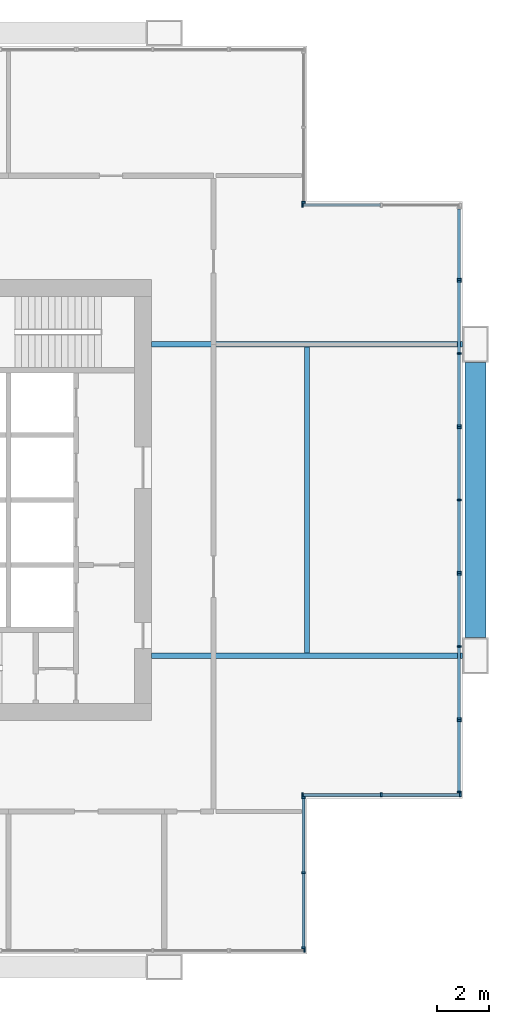
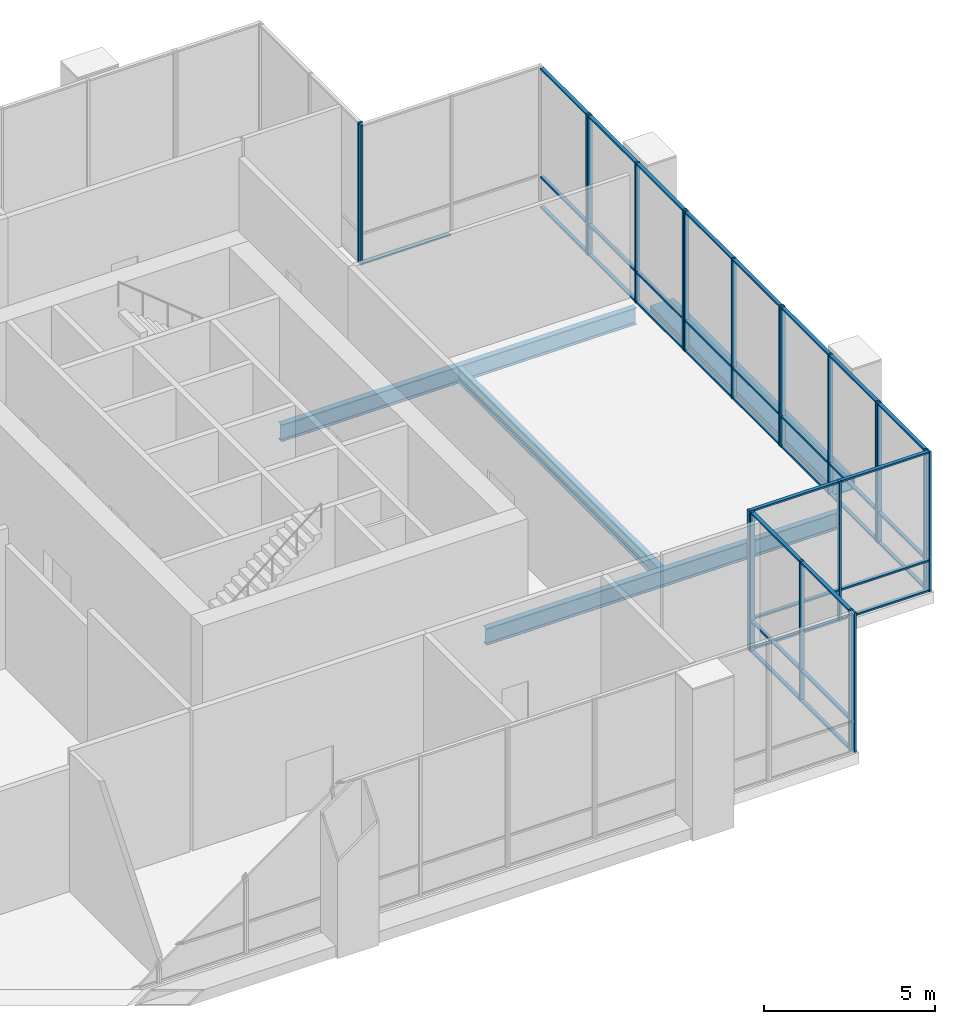
# One storey, part 10 of 20: 58 members, 4 beams, 10 elements without a shape of their own.
"""IFC4 building model written with IfcOpenShell, lengths in metres."""

import ifcopenshell
import ifcopenshell.guid

model = None  # the IFC model being written
_history = None  # IfcOwnerHistory: only IFC2X3 demands one
_inside = {}  # id of a spatial element -> (the spatial element, [elements in it])
_under = {}  # id of a project, library or spatial element -> (it, [spatial elements below it])
_declared = {}  # id of a project -> (the project, [libraries it declares])
_typed = {}  # id of a type object -> (the type object, [elements of that type])
_made_of = {}  # id of a material, layer set ... -> (it, [elements and type objects made of it])


def new_model(schema):
    """Start an empty IFC model of exactly this schema.

    Asked for "IFC4X3", IfcOpenShell would pick the latest addendum, in which some entities
    have other attributes; the version numbers below select the first issue.
    IFC2X3 requires an IfcOwnerHistory on every rooted entity: one is made here for all.
    """
    global model, _history
    if schema == "IFC4X3":
        model = ifcopenshell.file(schema_version=(4, 3, 0, 0))
    else:
        model = ifcopenshell.file(schema=schema)
    _inside.clear()
    _under.clear()
    _declared.clear()
    _typed.clear()
    _made_of.clear()
    _history = None
    if model.schema == "IFC2X3":
        org = make("IfcOrganization", Name="unknown")
        user = make(
            "IfcPersonAndOrganization",
            ThePerson=make("IfcPerson", FamilyName="unknown"),
            TheOrganization=org,
        )
        app = make(
            "IfcApplication",
            ApplicationDeveloper=org,
            Version="unknown",
            ApplicationFullName="unknown",
            ApplicationIdentifier="unknown",
        )
        _history = make(
            "IfcOwnerHistory",
            OwningUser=user,
            OwningApplication=app,
            ChangeAction="ADDED",
            CreationDate=0,
        )
    return model


def make(cls, **values):
    """One entity of the class cls with the attributes given. An attribute that is None is left unset."""
    return model.create_entity(
        cls, **{name: value for name, value in values.items() if value is not None}
    )


def rooted(cls, **values):
    """An entity with a GlobalId (a new one), such as an element, a storey or a relation."""
    return make(cls, GlobalId=ifcopenshell.guid.new(), OwnerHistory=_history, **values)


def si_unit(unit_type, name, prefix=None):
    """IfcSIUnit, for example si_unit("LENGTHUNIT", "METRE", prefix="MILLI")."""
    return make("IfcSIUnit", UnitType=unit_type, Prefix=prefix, Name=name)


def assignment(units):
    """IfcUnitAssignment: the units of a project."""
    return None if units is None else make("IfcUnitAssignment", Units=units)


def point(xyz):
    """IfcCartesianPoint."""
    return None if xyz is None else make("IfcCartesianPoint", Coordinates=xyz)


def direction(xyz):
    """IfcDirection."""
    return None if xyz is None else make("IfcDirection", DirectionRatios=xyz)


def frame(location, z_axis=None, x_axis=None):
    """IfcAxis2Placement3D, a coordinate frame: its origin and axes. An axis left out is left unset."""
    return make(
        "IfcAxis2Placement3D",
        Location=point(location),
        Axis=direction(z_axis),
        RefDirection=direction(x_axis),
    )


def frame_2d(location, x_axis=None):
    """IfcAxis2Placement2D, a coordinate frame in the plane: its origin and x axis."""
    return make(
        "IfcAxis2Placement2D", Location=point(location), RefDirection=direction(x_axis)
    )


def origin():
    """The frame at (0, 0, 0) with its axes left unset."""
    return frame((0.0, 0.0, 0.0))


def origin_2d():
    """The frame at (0, 0) in the plane with its x axis left unset."""
    return frame_2d((0.0, 0.0))


def place(relative_to, where):
    """IfcLocalPlacement: puts the frame where relative to a parent placement (None: the world)."""
    return make(
        "IfcLocalPlacement", PlacementRelTo=relative_to, RelativePlacement=where
    )


def context(
    kind, dimensions, precision=None, world=None, true_north=None, identifier=None
):
    """IfcGeometricRepresentationContext, for example the 3D "Model" context."""
    return make(
        "IfcGeometricRepresentationContext",
        ContextIdentifier=identifier,
        ContextType=kind,
        CoordinateSpaceDimension=dimensions,
        Precision=precision,
        WorldCoordinateSystem=world,
        TrueNorth=true_north,
    )


def subcontext(parent, identifier, kind, view, scale=None):
    """IfcGeometricRepresentationSubContext, for example "Body" below "Model"."""
    return make(
        "IfcGeometricRepresentationSubContext",
        ContextIdentifier=identifier,
        ContextType=kind,
        ParentContext=parent,
        TargetScale=scale,
        TargetView=view,
    )


def project(units=None, contexts=None):
    """IfcProject with its units and contexts."""
    return rooted(
        "IfcProject",
        Name="project",
        RepresentationContexts=contexts,
        UnitsInContext=assignment(units),
    )


def spatial(cls, under=None, at=None, **own):
    """A site, building, storey or space (cls), placed at a placement, below another one or the project."""
    s = rooted(cls, ObjectPlacement=at, **own)
    if under is not None:
        _under.setdefault(under.id(), (under, []))[1].append(s)
    return s


def profile(cls, at=None, kind="AREA", **sizes):
    """A parametric profile (cls). Its sizes go by their IFC names, for example OverallWidth=200.0."""
    return make(cls, ProfileType=kind, Position=at, **sizes)


def rectangle(**sizes):
    """IfcRectangleProfileDef."""
    return profile("IfcRectangleProfileDef", **sizes)


def hollow_rectangle(**sizes):
    """IfcRectangleHollowProfileDef."""
    return profile("IfcRectangleHollowProfileDef", **sizes)


def i_section(**sizes):
    """IfcIShapeProfileDef."""
    return profile("IfcIShapeProfileDef", **sizes)


def extrude(swept, where, along, depth):
    """IfcExtrudedAreaSolid: the profile swept, set in the frame where, extruded along a direction by depth."""
    return make(
        "IfcExtrudedAreaSolid",
        SweptArea=swept,
        Position=where,
        ExtrudedDirection=direction(along),
        Depth=depth,
    )


def shape(context_of_items, identifier, shape_type, items):
    """IfcShapeRepresentation: the items that make up one representation, for example the "Body"."""
    return make(
        "IfcShapeRepresentation",
        ContextOfItems=context_of_items,
        RepresentationIdentifier=identifier,
        RepresentationType=shape_type,
        Items=items,
    )


def material(Name=None, Category=None):
    """IfcMaterial."""
    return make("IfcMaterial", Name=Name, Category=Category)


def material_profile(
    of_material, cross_section, Name=None, Category=None, Priority=None
):
    """IfcMaterialProfile: a cross section and its material."""
    return make(
        "IfcMaterialProfile",
        Name=Name,
        Material=of_material,
        Profile=cross_section,
        Priority=Priority,
        Category=Category,
    )


def profile_set(profiles, Name=None, composite=None):
    """IfcMaterialProfileSet."""
    return make(
        "IfcMaterialProfileSet",
        Name=Name,
        MaterialProfiles=profiles,
        CompositeProfile=composite,
    )


def made_of(thing, what):
    """Note that an element or type object is made of a material, layer set ...; save() writes the relation."""
    if what is not None:
        _made_of.setdefault(what.id(), (what, []))[1].append(thing)
    return thing


def type_object(cls, material=None, **own):
    """A type object (cls), such as IfcWallType, which elements share."""
    return made_of(rooted(cls, **own), material)


def element(
    cls,
    number,
    at=None,
    inside=None,
    cuts=None,
    type_object=None,
    material=None,
    context=None,
    identifier="Body",
    shape_type=None,
    held_by="IfcProductDefinitionShape",
    body=None,
    shapes=None,
    **own,
):
    """One element of the class cls, such as IfcWall. Its Tag is "e" and its number.

    at: its placement. inside: the storey or other place that contains it. cuts: it is an
    opening in that element (IfcRelVoidsElement). A single representation is given by context,
    identifier, shape_type and body (its items); several are given by shapes. held_by: the class
    of the entity that holds the representations. save() writes the other relations.
    """
    e = rooted(cls, Tag="e%d" % number, ObjectPlacement=at, **own)
    if body is not None:
        shapes = [shape(context, identifier, shape_type, body)]
    if shapes is not None:
        e.Representation = make(held_by, Representations=shapes)
    if inside is not None:
        _inside.setdefault(inside.id(), (inside, []))[1].append(e)
    if cuts is not None:
        rooted(
            "IfcRelVoidsElement", RelatingBuildingElement=cuts, RelatedOpeningElement=e
        )
    if type_object is not None:
        _typed.setdefault(type_object.id(), (type_object, []))[1].append(e)
    return made_of(e, material)


def aggregate(whole, parts):
    """IfcRelAggregates: a whole, such as a stair, and the parts it consists of."""
    return rooted("IfcRelAggregates", RelatingObject=whole, RelatedObjects=parts)


def save(model, path):
    """Write the relations noted so far, then the file.

    IfcRelAggregates (storeys below a building ...), IfcRelContainedInSpatialStructure (elements
    in a storey), IfcRelDefinesByType, IfcRelAssociatesMaterial and IfcRelDeclares: one each for
    every whole, place, type object, material and project.
    """
    for whole, parts in _under.values():
        aggregate(whole, parts)
    for where, things in _inside.values():
        rooted(
            "IfcRelContainedInSpatialStructure",
            RelatedElements=things,
            RelatingStructure=where,
        )
    for kind, things in _typed.values():
        rooted("IfcRelDefinesByType", RelatedObjects=things, RelatingType=kind)
    for what, things in _made_of.values():
        rooted("IfcRelAssociatesMaterial", RelatedObjects=things, RelatingMaterial=what)
    for by, libraries in _declared.values():
        rooted("IfcRelDeclares", RelatingContext=by, RelatedDefinitions=libraries)
    model.write(path)


model = new_model("IFC4")

# Units and contexts
model_context = context("Model", 3, precision=1e-05, world=origin(), true_north=direction((0.0, 1.0)))
body_context = subcontext(model_context, "Body", "Model", "MODEL_VIEW")
ifc_project = project(units=[si_unit("LENGTHUNIT", "METRE"), si_unit("AREAUNIT", "SQUARE_METRE"), si_unit("VOLUMEUNIT", "CUBIC_METRE"), si_unit("PLANEANGLEUNIT", "RADIAN"), si_unit("MASSUNIT", "GRAM", prefix="KILO")], contexts=[model_context])

# Site, building, storey
site_placement = place(None, origin())
site = spatial("IfcSite", under=ifc_project, at=site_placement, CompositionType="ELEMENT")
building_placement = place(site_placement, origin())
building = spatial("IfcBuilding", under=site, at=building_placement, Name="Kitamizu Gate Tower and Museum", CompositionType="ELEMENT")
storey_placement = place(building_placement, frame((0.0, 0.0, 148.35009765625)))
storey = spatial("IfcBuildingStorey", under=building, at=storey_placement, Name="L39", CompositionType="ELEMENT", Elevation=148.35009765625)

# Beams
ifc_material_1 = material(Name="Steel SM490A bronze coated", Category="steel")
ifc_material_profile_1 = material_profile(ifc_material_1, hollow_rectangle(XDim=0.800048828125, YDim=0.39990234375, WallThickness=0.0400390625, at=origin_2d()), Name="BOX 800x400x40")
ifc_profile_set_1 = profile_set([ifc_material_profile_1], Name="Steel SM490A bronze coated")
beam_type_1 = type_object("IfcBeamType", Name="Exoskeleton spandrel beam SB1 BOX 800x400x40", PredefinedType="SPANDREL", material=ifc_profile_set_1)
beam_1_placement = place(storey_placement, frame((72.0, 24.699951171875, -0.2001953125), z_axis=(0.0, 1.0, 0.0), x_axis=(-1.0, 0.0, 0.0)))
element("IfcBeam", 1, at=beam_1_placement, inside=storey, type_object=beam_type_1, Name="Exoskeleton spandrel beam east 24 L39", PredefinedType="SPANDREL", context=body_context, shape_type="SweptSolid", body=[
    extrude(hollow_rectangle(XDim=0.800048828125, YDim=0.39990234375, WallThickness=0.0400390625, at=origin_2d()), origin(), (0.0, 0.0, 1.0), 10.60009765625),
])
ifc_material_2 = material(Name="Steel SM490A", Category="steel")
ifc_material_profile_2 = material_profile(ifc_material_2, i_section(OverallWidth=0.199951171875, OverallDepth=0.5, WebThickness=0.010009765625, FlangeThickness=0.01611328125, FilletRadius=0.02001953125, at=origin_2d()), Name="H-500x200x10x16")
ifc_profile_set_2 = profile_set([ifc_material_profile_2], Name="Steel SM490A")
beam_type_2 = type_object("IfcBeamType", Name="Floor beam FB1 H 500x200x10x16", PredefinedType="BEAM", material=ifc_profile_set_2)
beam_2_placement = place(storey_placement, frame((65.5, 24.10009765625, -0.650146484375), z_axis=(0.0, 1.0, 0.0), x_axis=(-1.0, 0.0, 0.0)))
element("IfcBeam", 2, at=beam_2_placement, inside=storey, type_object=beam_type_2, Name="Floor beam FB1 L39-4", PredefinedType="BEAM", context=body_context, shape_type="SweptSolid", body=[
    extrude(i_section(OverallWidth=0.199951171875, OverallDepth=0.5, WebThickness=0.010009765625, FlangeThickness=0.01611328125, FilletRadius=0.02001953125, at=origin_2d()), origin(), (0.0, 0.0, 1.0), 11.7998046875),
])
ifc_material_3 = material(Name="Steel SM490A", Category="steel")
ifc_material_profile_3 = material_profile(ifc_material_3, i_section(OverallWidth=0.199951171875, OverallDepth=0.60009765625, WebThickness=0.010986328125, FlangeThickness=0.01708984375, FilletRadius=0.02197265625, at=origin_2d()), Name="H-600x200x11x17")
ifc_profile_set_3 = profile_set([ifc_material_profile_3], Name="Steel SM490A")
beam_type_3 = type_object("IfcBeamType", Name="Floor girder FG1 H 600x200x11x17", PredefinedType="BEAM", material=ifc_profile_set_3)
for number, where, z_axis, x_axis, name in (
    (3, (59.5, 24.0, -0.7001953125), (1.0, 0.0, 0.0), (0.0, 1.0, 0.0), "Floor girder FG1 y24 L39"),
    (4, (59.5, 36.0, -0.7001953125), (1.0, 0.0, 0.0), (0.0, 1.0, 0.0), "Floor girder FG1 y36 L39"),
):
    element("IfcBeam", number, at=place(storey_placement, frame(where, z_axis=z_axis, x_axis=x_axis)), inside=storey, type_object=beam_type_3, Name=name, PredefinedType="BEAM", context=body_context, shape_type="SweptSolid", body=[
        extrude(i_section(OverallWidth=0.199951171875, OverallDepth=0.60009765625, WebThickness=0.010986328125, FlangeThickness=0.01708984375, FilletRadius=0.02197265625, at=origin_2d()), origin(), (0.0, 0.0, 1.0), 12.0),
    ])

# Curtain wall, member
ifc_material_4 = material(Name="Bronze anodised aluminium frame, tinted triple glazing", Category="aluminium")
curtain_wall_type_1 = type_object("IfcCurtainWallType", Name="CURTAIN WALL TYPE B SKY LOBBY", PredefinedType="NOTDEFINED", material=ifc_material_4)
curtain_wall_1_placement = place(storey_placement, origin())
curtain_wall_1 = element("IfcCurtainWall", 5, at=curtain_wall_1_placement, inside=storey, type_object=curtain_wall_type_1, Name="Curtain wall CW-B south L39 part 11", PredefinedType="NOTDEFINED")
ifc_material_5 = material(Name="Bronze anodised aluminium", Category="aluminium")
ifc_material_profile_4 = material_profile(ifc_material_5, rectangle(XDim=0.070068359375, YDim=0.14990234375, at=origin_2d()), Name="AL 70X150")
ifc_profile_set_4 = profile_set([ifc_material_profile_4], Name="Bronze anodised aluminium")
member_type_1 = type_object("IfcMemberType", Name="MULLION 70 X 150 TYPE B", PredefinedType="MULLION", material=ifc_profile_set_4)
member_1_placement = place(storey_placement, frame((65.405029296875, 12.635009765625, 0.0), z_axis=(0.0, 0.0, 1.0), x_axis=(1.0, 0.0, 0.0)))
member_1 = element("IfcMember", 6, at=member_1_placement, type_object=member_type_1, Name="CW-B mullion 2", PredefinedType="MULLION", context=body_context, shape_type="SweptSolid", body=[
    extrude(rectangle(XDim=0.070068359375, YDim=0.14990234375, at=origin_2d()), origin(), (0.0, 0.0, 1.0), 5.0),
])
aggregate(curtain_wall_1, [member_1])

# Curtain wall, members
curtain_wall_2_placement = place(storey_placement, origin())
curtain_wall_2 = element("IfcCurtainWall", 7, at=curtain_wall_2_placement, inside=storey, type_object=curtain_wall_type_1, Name="Curtain wall CW-B east L39", PredefinedType="NOTDEFINED")
member_2_placement = place(storey_placement, frame((65.364990234375, 12.7451171875, 0.0), z_axis=(0.0, 0.0, 1.0), x_axis=(0.0, 1.0, 0.0)))
member_2 = element("IfcMember", 8, at=member_2_placement, type_object=member_type_1, Name="CW-B mullion 1", PredefinedType="MULLION", context=body_context, shape_type="SweptSolid", body=[
    extrude(rectangle(XDim=0.070068359375, YDim=0.14990234375, at=origin_2d()), origin(), (0.0, 0.0, 1.0), 5.0),
])
member_3_placement = place(storey_placement, frame((65.364990234375, 15.635009765625, 0.0), z_axis=(0.0, 0.0, 1.0), x_axis=(0.0, 1.0, 0.0)))
member_3 = element("IfcMember", 9, at=member_3_placement, type_object=member_type_1, Name="CW-B mullion 2", PredefinedType="MULLION", context=body_context, shape_type="SweptSolid", body=[
    extrude(rectangle(XDim=0.070068359375, YDim=0.14990234375, at=origin_2d()), origin(), (0.0, 0.0, 1.0), 5.0),
])
member_4_placement = place(storey_placement, frame((65.364990234375, 18.52490234375, 0.0), z_axis=(0.0, 0.0, 1.0), x_axis=(0.0, 1.0, 0.0)))
member_4 = element("IfcMember", 10, at=member_4_placement, type_object=member_type_1, Name="CW-B mullion 3", PredefinedType="MULLION", context=body_context, shape_type="SweptSolid", body=[
    extrude(rectangle(XDim=0.070068359375, YDim=0.14990234375, at=origin_2d()), origin(), (0.0, 0.0, 1.0), 5.0),
])

curtain_wall_3_placement = place(storey_placement, origin())
curtain_wall_3 = element("IfcCurtainWall", 11, at=curtain_wall_3_placement, inside=storey, type_object=curtain_wall_type_1, Name="Curtain wall CW-B south L39", PredefinedType="NOTDEFINED")
member_5_placement = place(storey_placement, frame((65.324951171875, 18.635009765625, 0.0), z_axis=(0.0, 0.0, 1.0), x_axis=(1.0, 0.0, 0.0)))
member_5 = element("IfcMember", 12, at=member_5_placement, type_object=member_type_1, Name="CW-B mullion 1", PredefinedType="MULLION", context=body_context, shape_type="SweptSolid", body=[
    extrude(rectangle(XDim=0.070068359375, YDim=0.14990234375, at=origin_2d()), origin(), (0.0, 0.0, 1.0), 5.0),
])
member_6_placement = place(storey_placement, frame((68.364990234375, 18.635009765625, 0.0), z_axis=(0.0, 0.0, 1.0), x_axis=(1.0, 0.0, 0.0)))
member_6 = element("IfcMember", 13, at=member_6_placement, type_object=member_type_1, Name="CW-B mullion 2", PredefinedType="MULLION", context=body_context, shape_type="SweptSolid", body=[
    extrude(rectangle(XDim=0.070068359375, YDim=0.14990234375, at=origin_2d()), origin(), (0.0, 0.0, 1.0), 5.0),
])
member_7_placement = place(storey_placement, frame((71.405029296875, 18.635009765625, 0.0), z_axis=(0.0, 0.0, 1.0), x_axis=(1.0, 0.0, 0.0)))
member_7 = element("IfcMember", 14, at=member_7_placement, type_object=member_type_1, Name="CW-B mullion 3", PredefinedType="MULLION", context=body_context, shape_type="SweptSolid", body=[
    extrude(rectangle(XDim=0.070068359375, YDim=0.14990234375, at=origin_2d()), origin(), (0.0, 0.0, 1.0), 5.0),
])

curtain_wall_4_placement = place(storey_placement, origin())
curtain_wall_4 = element("IfcCurtainWall", 15, at=curtain_wall_4_placement, inside=storey, type_object=curtain_wall_type_1, Name="Curtain wall CW-B east L39 part 1", PredefinedType="NOTDEFINED")
member_8_placement = place(storey_placement, frame((71.364990234375, 18.7451171875, 0.0), z_axis=(0.0, 0.0, 1.0), x_axis=(0.0, 1.0, 0.0)))
member_8 = element("IfcMember", 16, at=member_8_placement, type_object=member_type_1, Name="CW-B mullion 1", PredefinedType="MULLION", context=body_context, shape_type="SweptSolid", body=[
    extrude(rectangle(XDim=0.070068359375, YDim=0.14990234375, at=origin_2d()), origin(), (0.0, 0.0, 1.0), 5.0),
])
member_9_placement = place(storey_placement, frame((71.364990234375, 21.49755859375, 0.0), z_axis=(0.0, 0.0, 1.0), x_axis=(0.0, 1.0, 0.0)))
member_9 = element("IfcMember", 17, at=member_9_placement, type_object=member_type_1, Name="CW-B mullion 2", PredefinedType="MULLION", context=body_context, shape_type="SweptSolid", body=[
    extrude(rectangle(XDim=0.070068359375, YDim=0.14990234375, at=origin_2d()), origin(), (0.0, 0.0, 1.0), 5.0),
])

ifc_material_6 = material(Name="Bronze anodised aluminium frame, insulated panels", Category="aluminium")
curtain_wall_type_2 = type_object("IfcCurtainWallType", Name="CURTAIN WALL TYPE B SKY LOBBY INSULATED", PredefinedType="NOTDEFINED", material=ifc_material_6)
curtain_wall_5_placement = place(storey_placement, origin())
curtain_wall_5 = element("IfcCurtainWall", 18, at=curtain_wall_5_placement, inside=storey, type_object=curtain_wall_type_2, Name="Curtain wall CW-BI east L39 part 2", PredefinedType="NOTDEFINED")
member_10_placement = place(storey_placement, frame((71.364990234375, 21.5673828125, 0.0), z_axis=(0.0, 0.0, 1.0), x_axis=(0.0, 1.0, 0.0)))
member_10 = element("IfcMember", 19, at=member_10_placement, type_object=member_type_1, Name="CW-BI mullion 1", PredefinedType="MULLION", context=body_context, shape_type="SweptSolid", body=[
    extrude(rectangle(XDim=0.070068359375, YDim=0.14990234375, at=origin_2d()), origin(), (0.0, 0.0, 1.0), 5.0),
])
member_11_placement = place(storey_placement, frame((71.364990234375, 24.35498046875, 0.0), z_axis=(0.0, 0.0, 1.0), x_axis=(0.0, 1.0, 0.0)))
member_11 = element("IfcMember", 20, at=member_11_placement, type_object=member_type_1, Name="CW-BI mullion 2", PredefinedType="MULLION", context=body_context, shape_type="SweptSolid", body=[
    extrude(rectangle(XDim=0.070068359375, YDim=0.14990234375, at=origin_2d()), origin(), (0.0, 0.0, 1.0), 5.0),
])
member_12_placement = place(storey_placement, frame((71.364990234375, 27.142578125, 0.0), z_axis=(0.0, 0.0, 1.0), x_axis=(0.0, 1.0, 0.0)))
member_12 = element("IfcMember", 21, at=member_12_placement, type_object=member_type_1, Name="CW-BI mullion 3", PredefinedType="MULLION", context=body_context, shape_type="SweptSolid", body=[
    extrude(rectangle(XDim=0.070068359375, YDim=0.14990234375, at=origin_2d()), origin(), (0.0, 0.0, 1.0), 5.0),
])

curtain_wall_6_placement = place(storey_placement, origin())
curtain_wall_6 = element("IfcCurtainWall", 22, at=curtain_wall_6_placement, inside=storey, type_object=curtain_wall_type_1, Name="Curtain wall CW-B east L39 part 3", PredefinedType="NOTDEFINED")
member_13_placement = place(storey_placement, frame((71.364990234375, 27.21240234375, 0.0), z_axis=(0.0, 0.0, 1.0), x_axis=(0.0, 1.0, 0.0)))
member_13 = element("IfcMember", 23, at=member_13_placement, type_object=member_type_1, Name="CW-B mullion 1", PredefinedType="MULLION", context=body_context, shape_type="SweptSolid", body=[
    extrude(rectangle(XDim=0.070068359375, YDim=0.14990234375, at=origin_2d()), origin(), (0.0, 0.0, 1.0), 5.0),
])
member_14_placement = place(storey_placement, frame((71.364990234375, 30.0, 0.0), z_axis=(0.0, 0.0, 1.0), x_axis=(0.0, 1.0, 0.0)))
member_14 = element("IfcMember", 24, at=member_14_placement, type_object=member_type_1, Name="CW-B mullion 2", PredefinedType="MULLION", context=body_context, shape_type="SweptSolid", body=[
    extrude(rectangle(XDim=0.070068359375, YDim=0.14990234375, at=origin_2d()), origin(), (0.0, 0.0, 1.0), 5.0),
])
member_15_placement = place(storey_placement, frame((71.364990234375, 32.78759765625, 0.0), z_axis=(0.0, 0.0, 1.0), x_axis=(0.0, 1.0, 0.0)))
member_15 = element("IfcMember", 25, at=member_15_placement, type_object=member_type_1, Name="CW-B mullion 3", PredefinedType="MULLION", context=body_context, shape_type="SweptSolid", body=[
    extrude(rectangle(XDim=0.070068359375, YDim=0.14990234375, at=origin_2d()), origin(), (0.0, 0.0, 1.0), 5.0),
])

curtain_wall_7_placement = place(storey_placement, origin())
curtain_wall_7 = element("IfcCurtainWall", 26, at=curtain_wall_7_placement, inside=storey, type_object=curtain_wall_type_2, Name="Curtain wall CW-BI east L39 part 4", PredefinedType="NOTDEFINED")
member_16_placement = place(storey_placement, frame((71.364990234375, 32.857421875, 0.0), z_axis=(0.0, 0.0, 1.0), x_axis=(0.0, 1.0, 0.0)))
member_16 = element("IfcMember", 27, at=member_16_placement, type_object=member_type_1, Name="CW-BI mullion 1", PredefinedType="MULLION", context=body_context, shape_type="SweptSolid", body=[
    extrude(rectangle(XDim=0.070068359375, YDim=0.14990234375, at=origin_2d()), origin(), (0.0, 0.0, 1.0), 5.0),
])
member_17_placement = place(storey_placement, frame((71.364990234375, 35.64501953125, 0.0), z_axis=(0.0, 0.0, 1.0), x_axis=(0.0, 1.0, 0.0)))
member_17 = element("IfcMember", 28, at=member_17_placement, type_object=member_type_1, Name="CW-BI mullion 2", PredefinedType="MULLION", context=body_context, shape_type="SweptSolid", body=[
    extrude(rectangle(XDim=0.070068359375, YDim=0.14990234375, at=origin_2d()), origin(), (0.0, 0.0, 1.0), 5.0),
])
member_18_placement = place(storey_placement, frame((71.364990234375, 38.4326171875, 0.0), z_axis=(0.0, 0.0, 1.0), x_axis=(0.0, 1.0, 0.0)))
member_18 = element("IfcMember", 29, at=member_18_placement, type_object=member_type_1, Name="CW-BI mullion 3", PredefinedType="MULLION", context=body_context, shape_type="SweptSolid", body=[
    extrude(rectangle(XDim=0.070068359375, YDim=0.14990234375, at=origin_2d()), origin(), (0.0, 0.0, 1.0), 5.0),
])

# Curtain wall, member
curtain_wall_8_placement = place(storey_placement, origin())
curtain_wall_8 = element("IfcCurtainWall", 30, at=curtain_wall_8_placement, inside=storey, type_object=curtain_wall_type_1, Name="Curtain wall CW-B east L39 part 5", PredefinedType="NOTDEFINED")
member_19_placement = place(storey_placement, frame((71.364990234375, 38.50244140625, 0.0), z_axis=(0.0, 0.0, 1.0), x_axis=(0.0, 1.0, 0.0)))
member_19 = element("IfcMember", 31, at=member_19_placement, type_object=member_type_1, Name="CW-B mullion 1", PredefinedType="MULLION", context=body_context, shape_type="SweptSolid", body=[
    extrude(rectangle(XDim=0.070068359375, YDim=0.14990234375, at=origin_2d()), origin(), (0.0, 0.0, 1.0), 5.0),
])

curtain_wall_9_placement = place(storey_placement, origin())
curtain_wall_9 = element("IfcCurtainWall", 32, at=curtain_wall_9_placement, inside=storey, type_object=curtain_wall_type_1, Name="Curtain wall CW-B north L39", PredefinedType="NOTDEFINED")
member_20_placement = place(storey_placement, frame((65.324951171875, 41.364990234375, 0.0), z_axis=(0.0, 0.0, 1.0), x_axis=(1.0, 0.0, 0.0)))
member_20 = element("IfcMember", 33, at=member_20_placement, type_object=member_type_1, Name="CW-B mullion 1", PredefinedType="MULLION", context=body_context, shape_type="SweptSolid", body=[
    extrude(rectangle(XDim=0.070068359375, YDim=0.14990234375, at=origin_2d()), origin(), (0.0, 0.0, 1.0), 5.0),
])

curtain_wall_10_placement = place(storey_placement, origin())
curtain_wall_10 = element("IfcCurtainWall", 34, at=curtain_wall_10_placement, inside=storey, type_object=curtain_wall_type_1, Name="Curtain wall CW-B east L39", PredefinedType="NOTDEFINED")
member_21_placement = place(storey_placement, frame((65.364990234375, 41.47509765625, 0.0), z_axis=(0.0, 0.0, 1.0), x_axis=(0.0, 1.0, 0.0)))
member_21 = element("IfcMember", 35, at=member_21_placement, type_object=member_type_1, Name="CW-B mullion 1", PredefinedType="MULLION", context=body_context, shape_type="SweptSolid", body=[
    extrude(rectangle(XDim=0.070068359375, YDim=0.14990234375, at=origin_2d()), origin(), (0.0, 0.0, 1.0), 5.0),
])
aggregate(curtain_wall_10, [member_21])

# Member
ifc_material_7 = material(Name="Bronze anodised aluminium", Category="aluminium")
ifc_material_profile_5 = material_profile(ifc_material_7, rectangle(XDim=0.1201171875, YDim=0.06005859375, at=origin_2d()), Name="AL 60X120")
ifc_profile_set_5 = profile_set([ifc_material_profile_5], Name="Bronze anodised aluminium")
member_type_2 = type_object("IfcMemberType", Name="TRANSOM 60 X 120 TYPE B", PredefinedType="USERDEFINED", material=ifc_profile_set_5)
member_22_placement = place(storey_placement, frame((65.364990234375, 12.780029296875, 0.02978515625), z_axis=(0.0, 1.0, 0.0), x_axis=(-1.0, 0.0, 0.0)))
member_22 = element("IfcMember", 36, at=member_22_placement, type_object=member_type_2, Name="CW-B transom 1.1", ObjectType="TRANSOM", PredefinedType="USERDEFINED", context=body_context, shape_type="SweptSolid", body=[
    extrude(rectangle(XDim=0.1201171875, YDim=0.06005859375, at=origin_2d()), origin(), (0.0, 0.0, 1.0), 2.820068359375),
])

member_23_placement = place(storey_placement, frame((65.364990234375, 12.780029296875, 1.099853515625), z_axis=(0.0, 1.0, 0.0), x_axis=(-1.0, 0.0, 0.0)))
member_23 = element("IfcMember", 37, at=member_23_placement, type_object=member_type_2, Name="CW-B transom 1.2", ObjectType="TRANSOM", PredefinedType="USERDEFINED", context=body_context, shape_type="SweptSolid", body=[
    extrude(rectangle(XDim=0.1201171875, YDim=0.06005859375, at=origin_2d()), origin(), (0.0, 0.0, 1.0), 2.820068359375),
])

member_24_placement = place(storey_placement, frame((65.364990234375, 12.780029296875, 4.969970703125), z_axis=(0.0, 1.0, 0.0), x_axis=(-1.0, 0.0, 0.0)))
member_24 = element("IfcMember", 38, at=member_24_placement, type_object=member_type_2, Name="CW-B transom 1.3", ObjectType="TRANSOM", PredefinedType="USERDEFINED", context=body_context, shape_type="SweptSolid", body=[
    extrude(rectangle(XDim=0.1201171875, YDim=0.06005859375, at=origin_2d()), origin(), (0.0, 0.0, 1.0), 2.820068359375),
])

member_25_placement = place(storey_placement, frame((65.364990234375, 15.669921875, 0.02978515625), z_axis=(0.0, 1.0, 0.0), x_axis=(-1.0, 0.0, 0.0)))
member_25 = element("IfcMember", 39, at=member_25_placement, type_object=member_type_2, Name="CW-B transom 2.1", ObjectType="TRANSOM", PredefinedType="USERDEFINED", context=body_context, shape_type="SweptSolid", body=[
    extrude(rectangle(XDim=0.1201171875, YDim=0.06005859375, at=origin_2d()), origin(), (0.0, 0.0, 1.0), 2.820068359375),
])

member_26_placement = place(storey_placement, frame((65.364990234375, 15.669921875, 1.099853515625), z_axis=(0.0, 1.0, 0.0), x_axis=(-1.0, 0.0, 0.0)))
member_26 = element("IfcMember", 40, at=member_26_placement, type_object=member_type_2, Name="CW-B transom 2.2", ObjectType="TRANSOM", PredefinedType="USERDEFINED", context=body_context, shape_type="SweptSolid", body=[
    extrude(rectangle(XDim=0.1201171875, YDim=0.06005859375, at=origin_2d()), origin(), (0.0, 0.0, 1.0), 2.820068359375),
])

member_27_placement = place(storey_placement, frame((65.364990234375, 15.669921875, 4.969970703125), z_axis=(0.0, 1.0, 0.0), x_axis=(-1.0, 0.0, 0.0)))
member_27 = element("IfcMember", 41, at=member_27_placement, type_object=member_type_2, Name="CW-B transom 2.3", ObjectType="TRANSOM", PredefinedType="USERDEFINED", context=body_context, shape_type="SweptSolid", body=[
    extrude(rectangle(XDim=0.1201171875, YDim=0.06005859375, at=origin_2d()), origin(), (0.0, 0.0, 1.0), 2.820068359375),
])

aggregate(curtain_wall_2, [member_2, member_3, member_4, member_22, member_23, member_24, member_25, member_26, member_27])

member_28_placement = place(storey_placement, frame((65.360107421875, 18.635009765625, 0.02978515625), z_axis=(1.0, 0.0, 0.0), x_axis=(0.0, 1.0, 0.0)))
member_28 = element("IfcMember", 42, at=member_28_placement, type_object=member_type_2, Name="CW-B transom 1.1", ObjectType="TRANSOM", PredefinedType="USERDEFINED", context=body_context, shape_type="SweptSolid", body=[
    extrude(rectangle(XDim=0.1201171875, YDim=0.06005859375, at=origin_2d()), origin(), (0.0, 0.0, 1.0), 2.969970703125),
])

member_29_placement = place(storey_placement, frame((65.360107421875, 18.635009765625, 1.099853515625), z_axis=(1.0, 0.0, 0.0), x_axis=(0.0, 1.0, 0.0)))
member_29 = element("IfcMember", 43, at=member_29_placement, type_object=member_type_2, Name="CW-B transom 1.2", ObjectType="TRANSOM", PredefinedType="USERDEFINED", context=body_context, shape_type="SweptSolid", body=[
    extrude(rectangle(XDim=0.1201171875, YDim=0.06005859375, at=origin_2d()), origin(), (0.0, 0.0, 1.0), 2.969970703125),
])

member_30_placement = place(storey_placement, frame((65.360107421875, 18.635009765625, 4.969970703125), z_axis=(1.0, 0.0, 0.0), x_axis=(0.0, 1.0, 0.0)))
member_30 = element("IfcMember", 44, at=member_30_placement, type_object=member_type_2, Name="CW-B transom 1.3", ObjectType="TRANSOM", PredefinedType="USERDEFINED", context=body_context, shape_type="SweptSolid", body=[
    extrude(rectangle(XDim=0.1201171875, YDim=0.06005859375, at=origin_2d()), origin(), (0.0, 0.0, 1.0), 2.969970703125),
])

member_31_placement = place(storey_placement, frame((68.39990234375, 18.635009765625, 0.02978515625), z_axis=(1.0, 0.0, 0.0), x_axis=(0.0, 1.0, 0.0)))
member_31 = element("IfcMember", 45, at=member_31_placement, type_object=member_type_2, Name="CW-B transom 2.1", ObjectType="TRANSOM", PredefinedType="USERDEFINED", context=body_context, shape_type="SweptSolid", body=[
    extrude(rectangle(XDim=0.1201171875, YDim=0.06005859375, at=origin_2d()), origin(), (0.0, 0.0, 1.0), 2.97021484375),
])

member_32_placement = place(storey_placement, frame((68.39990234375, 18.635009765625, 1.099853515625), z_axis=(1.0, 0.0, 0.0), x_axis=(0.0, 1.0, 0.0)))
member_32 = element("IfcMember", 46, at=member_32_placement, type_object=member_type_2, Name="CW-B transom 2.2", ObjectType="TRANSOM", PredefinedType="USERDEFINED", context=body_context, shape_type="SweptSolid", body=[
    extrude(rectangle(XDim=0.1201171875, YDim=0.06005859375, at=origin_2d()), origin(), (0.0, 0.0, 1.0), 2.97021484375),
])

member_33_placement = place(storey_placement, frame((68.39990234375, 18.635009765625, 4.969970703125), z_axis=(1.0, 0.0, 0.0), x_axis=(0.0, 1.0, 0.0)))
member_33 = element("IfcMember", 47, at=member_33_placement, type_object=member_type_2, Name="CW-B transom 2.3", ObjectType="TRANSOM", PredefinedType="USERDEFINED", context=body_context, shape_type="SweptSolid", body=[
    extrude(rectangle(XDim=0.1201171875, YDim=0.06005859375, at=origin_2d()), origin(), (0.0, 0.0, 1.0), 2.97021484375),
])

aggregate(curtain_wall_3, [member_5, member_6, member_7, member_28, member_29, member_30, member_31, member_32, member_33])

member_34_placement = place(storey_placement, frame((71.364990234375, 18.780029296875, 0.02978515625), z_axis=(0.0, 1.0, 0.0), x_axis=(-1.0, 0.0, 0.0)))
member_34 = element("IfcMember", 48, at=member_34_placement, type_object=member_type_2, Name="CW-B transom 1.1", ObjectType="TRANSOM", PredefinedType="USERDEFINED", context=body_context, shape_type="SweptSolid", body=[
    extrude(rectangle(XDim=0.1201171875, YDim=0.06005859375, at=origin_2d()), origin(), (0.0, 0.0, 1.0), 2.682373046875),
])

member_35_placement = place(storey_placement, frame((71.364990234375, 18.780029296875, 1.099853515625), z_axis=(0.0, 1.0, 0.0), x_axis=(-1.0, 0.0, 0.0)))
member_35 = element("IfcMember", 49, at=member_35_placement, type_object=member_type_2, Name="CW-B transom 1.2", ObjectType="TRANSOM", PredefinedType="USERDEFINED", context=body_context, shape_type="SweptSolid", body=[
    extrude(rectangle(XDim=0.1201171875, YDim=0.06005859375, at=origin_2d()), origin(), (0.0, 0.0, 1.0), 2.682373046875),
])

member_36_placement = place(storey_placement, frame((71.364990234375, 18.780029296875, 4.969970703125), z_axis=(0.0, 1.0, 0.0), x_axis=(-1.0, 0.0, 0.0)))
member_36 = element("IfcMember", 50, at=member_36_placement, type_object=member_type_2, Name="CW-B transom 1.3", ObjectType="TRANSOM", PredefinedType="USERDEFINED", context=body_context, shape_type="SweptSolid", body=[
    extrude(rectangle(XDim=0.1201171875, YDim=0.06005859375, at=origin_2d()), origin(), (0.0, 0.0, 1.0), 2.682373046875),
])

aggregate(curtain_wall_4, [member_8, member_9, member_34, member_35, member_36])

member_37_placement = place(storey_placement, frame((71.364990234375, 21.6025390625, 0.02978515625), z_axis=(0.0, 1.0, 0.0), x_axis=(-1.0, 0.0, 0.0)))
member_37 = element("IfcMember", 51, at=member_37_placement, type_object=member_type_2, Name="CW-BI transom 1.1", ObjectType="TRANSOM", PredefinedType="USERDEFINED", context=body_context, shape_type="SweptSolid", body=[
    extrude(rectangle(XDim=0.1201171875, YDim=0.06005859375, at=origin_2d()), origin(), (0.0, 0.0, 1.0), 2.717529296875),
])

member_38_placement = place(storey_placement, frame((71.364990234375, 21.6025390625, 1.099853515625), z_axis=(0.0, 1.0, 0.0), x_axis=(-1.0, 0.0, 0.0)))
member_38 = element("IfcMember", 52, at=member_38_placement, type_object=member_type_2, Name="CW-BI transom 1.2", ObjectType="TRANSOM", PredefinedType="USERDEFINED", context=body_context, shape_type="SweptSolid", body=[
    extrude(rectangle(XDim=0.1201171875, YDim=0.06005859375, at=origin_2d()), origin(), (0.0, 0.0, 1.0), 2.717529296875),
])

member_39_placement = place(storey_placement, frame((71.364990234375, 21.6025390625, 4.969970703125), z_axis=(0.0, 1.0, 0.0), x_axis=(-1.0, 0.0, 0.0)))
member_39 = element("IfcMember", 53, at=member_39_placement, type_object=member_type_2, Name="CW-BI transom 1.3", ObjectType="TRANSOM", PredefinedType="USERDEFINED", context=body_context, shape_type="SweptSolid", body=[
    extrude(rectangle(XDim=0.1201171875, YDim=0.06005859375, at=origin_2d()), origin(), (0.0, 0.0, 1.0), 2.717529296875),
])

member_40_placement = place(storey_placement, frame((71.364990234375, 24.389892578125, 0.02978515625), z_axis=(0.0, 1.0, 0.0), x_axis=(-1.0, 0.0, 0.0)))
member_40 = element("IfcMember", 54, at=member_40_placement, type_object=member_type_2, Name="CW-BI transom 2.1", ObjectType="TRANSOM", PredefinedType="USERDEFINED", context=body_context, shape_type="SweptSolid", body=[
    extrude(rectangle(XDim=0.1201171875, YDim=0.06005859375, at=origin_2d()), origin(), (0.0, 0.0, 1.0), 2.717529296875),
])

member_41_placement = place(storey_placement, frame((71.364990234375, 24.389892578125, 1.099853515625), z_axis=(0.0, 1.0, 0.0), x_axis=(-1.0, 0.0, 0.0)))
member_41 = element("IfcMember", 55, at=member_41_placement, type_object=member_type_2, Name="CW-BI transom 2.2", ObjectType="TRANSOM", PredefinedType="USERDEFINED", context=body_context, shape_type="SweptSolid", body=[
    extrude(rectangle(XDim=0.1201171875, YDim=0.06005859375, at=origin_2d()), origin(), (0.0, 0.0, 1.0), 2.717529296875),
])

member_42_placement = place(storey_placement, frame((71.364990234375, 24.389892578125, 4.969970703125), z_axis=(0.0, 1.0, 0.0), x_axis=(-1.0, 0.0, 0.0)))
member_42 = element("IfcMember", 56, at=member_42_placement, type_object=member_type_2, Name="CW-BI transom 2.3", ObjectType="TRANSOM", PredefinedType="USERDEFINED", context=body_context, shape_type="SweptSolid", body=[
    extrude(rectangle(XDim=0.1201171875, YDim=0.06005859375, at=origin_2d()), origin(), (0.0, 0.0, 1.0), 2.717529296875),
])

aggregate(curtain_wall_5, [member_10, member_11, member_12, member_37, member_38, member_39, member_40, member_41, member_42])

member_43_placement = place(storey_placement, frame((71.364990234375, 27.24755859375, 0.02978515625), z_axis=(0.0, 1.0, 0.0), x_axis=(-1.0, 0.0, 0.0)))
member_43 = element("IfcMember", 57, at=member_43_placement, type_object=member_type_2, Name="CW-B transom 1.1", ObjectType="TRANSOM", PredefinedType="USERDEFINED", context=body_context, shape_type="SweptSolid", body=[
    extrude(rectangle(XDim=0.1201171875, YDim=0.06005859375, at=origin_2d()), origin(), (0.0, 0.0, 1.0), 2.717529296875),
])

member_44_placement = place(storey_placement, frame((71.364990234375, 27.24755859375, 1.099853515625), z_axis=(0.0, 1.0, 0.0), x_axis=(-1.0, 0.0, 0.0)))
member_44 = element("IfcMember", 58, at=member_44_placement, type_object=member_type_2, Name="CW-B transom 1.2", ObjectType="TRANSOM", PredefinedType="USERDEFINED", context=body_context, shape_type="SweptSolid", body=[
    extrude(rectangle(XDim=0.1201171875, YDim=0.06005859375, at=origin_2d()), origin(), (0.0, 0.0, 1.0), 2.717529296875),
])

member_45_placement = place(storey_placement, frame((71.364990234375, 27.24755859375, 4.969970703125), z_axis=(0.0, 1.0, 0.0), x_axis=(-1.0, 0.0, 0.0)))
member_45 = element("IfcMember", 59, at=member_45_placement, type_object=member_type_2, Name="CW-B transom 1.3", ObjectType="TRANSOM", PredefinedType="USERDEFINED", context=body_context, shape_type="SweptSolid", body=[
    extrude(rectangle(XDim=0.1201171875, YDim=0.06005859375, at=origin_2d()), origin(), (0.0, 0.0, 1.0), 2.717529296875),
])

member_46_placement = place(storey_placement, frame((71.364990234375, 30.034912109375, 0.02978515625), z_axis=(0.0, 1.0, 0.0), x_axis=(-1.0, 0.0, 0.0)))
member_46 = element("IfcMember", 60, at=member_46_placement, type_object=member_type_2, Name="CW-B transom 2.1", ObjectType="TRANSOM", PredefinedType="USERDEFINED", context=body_context, shape_type="SweptSolid", body=[
    extrude(rectangle(XDim=0.1201171875, YDim=0.06005859375, at=origin_2d()), origin(), (0.0, 0.0, 1.0), 2.717529296875),
])

member_47_placement = place(storey_placement, frame((71.364990234375, 30.034912109375, 1.099853515625), z_axis=(0.0, 1.0, 0.0), x_axis=(-1.0, 0.0, 0.0)))
member_47 = element("IfcMember", 61, at=member_47_placement, type_object=member_type_2, Name="CW-B transom 2.2", ObjectType="TRANSOM", PredefinedType="USERDEFINED", context=body_context, shape_type="SweptSolid", body=[
    extrude(rectangle(XDim=0.1201171875, YDim=0.06005859375, at=origin_2d()), origin(), (0.0, 0.0, 1.0), 2.717529296875),
])

member_48_placement = place(storey_placement, frame((71.364990234375, 30.034912109375, 4.969970703125), z_axis=(0.0, 1.0, 0.0), x_axis=(-1.0, 0.0, 0.0)))
member_48 = element("IfcMember", 62, at=member_48_placement, type_object=member_type_2, Name="CW-B transom 2.3", ObjectType="TRANSOM", PredefinedType="USERDEFINED", context=body_context, shape_type="SweptSolid", body=[
    extrude(rectangle(XDim=0.1201171875, YDim=0.06005859375, at=origin_2d()), origin(), (0.0, 0.0, 1.0), 2.717529296875),
])

aggregate(curtain_wall_6, [member_13, member_14, member_15, member_43, member_44, member_45, member_46, member_47, member_48])

member_49_placement = place(storey_placement, frame((71.364990234375, 32.892578125, 0.02978515625), z_axis=(0.0, 1.0, 0.0), x_axis=(-1.0, 0.0, 0.0)))
member_49 = element("IfcMember", 63, at=member_49_placement, type_object=member_type_2, Name="CW-BI transom 1.1", ObjectType="TRANSOM", PredefinedType="USERDEFINED", context=body_context, shape_type="SweptSolid", body=[
    extrude(rectangle(XDim=0.1201171875, YDim=0.06005859375, at=origin_2d()), origin(), (0.0, 0.0, 1.0), 2.717529296875),
])

member_50_placement = place(storey_placement, frame((71.364990234375, 32.892578125, 1.099853515625), z_axis=(0.0, 1.0, 0.0), x_axis=(-1.0, 0.0, 0.0)))
member_50 = element("IfcMember", 64, at=member_50_placement, type_object=member_type_2, Name="CW-BI transom 1.2", ObjectType="TRANSOM", PredefinedType="USERDEFINED", context=body_context, shape_type="SweptSolid", body=[
    extrude(rectangle(XDim=0.1201171875, YDim=0.06005859375, at=origin_2d()), origin(), (0.0, 0.0, 1.0), 2.717529296875),
])

member_51_placement = place(storey_placement, frame((71.364990234375, 32.892578125, 4.969970703125), z_axis=(0.0, 1.0, 0.0), x_axis=(-1.0, 0.0, 0.0)))
member_51 = element("IfcMember", 65, at=member_51_placement, type_object=member_type_2, Name="CW-BI transom 1.3", ObjectType="TRANSOM", PredefinedType="USERDEFINED", context=body_context, shape_type="SweptSolid", body=[
    extrude(rectangle(XDim=0.1201171875, YDim=0.06005859375, at=origin_2d()), origin(), (0.0, 0.0, 1.0), 2.717529296875),
])

member_52_placement = place(storey_placement, frame((71.364990234375, 35.679931640625, 0.02978515625), z_axis=(0.0, 1.0, 0.0), x_axis=(-1.0, 0.0, 0.0)))
member_52 = element("IfcMember", 66, at=member_52_placement, type_object=member_type_2, Name="CW-BI transom 2.1", ObjectType="TRANSOM", PredefinedType="USERDEFINED", context=body_context, shape_type="SweptSolid", body=[
    extrude(rectangle(XDim=0.1201171875, YDim=0.06005859375, at=origin_2d()), origin(), (0.0, 0.0, 1.0), 2.717529296875),
])

member_53_placement = place(storey_placement, frame((71.364990234375, 35.679931640625, 1.099853515625), z_axis=(0.0, 1.0, 0.0), x_axis=(-1.0, 0.0, 0.0)))
member_53 = element("IfcMember", 67, at=member_53_placement, type_object=member_type_2, Name="CW-BI transom 2.2", ObjectType="TRANSOM", PredefinedType="USERDEFINED", context=body_context, shape_type="SweptSolid", body=[
    extrude(rectangle(XDim=0.1201171875, YDim=0.06005859375, at=origin_2d()), origin(), (0.0, 0.0, 1.0), 2.717529296875),
])

member_54_placement = place(storey_placement, frame((71.364990234375, 35.679931640625, 4.969970703125), z_axis=(0.0, 1.0, 0.0), x_axis=(-1.0, 0.0, 0.0)))
member_54 = element("IfcMember", 68, at=member_54_placement, type_object=member_type_2, Name="CW-BI transom 2.3", ObjectType="TRANSOM", PredefinedType="USERDEFINED", context=body_context, shape_type="SweptSolid", body=[
    extrude(rectangle(XDim=0.1201171875, YDim=0.06005859375, at=origin_2d()), origin(), (0.0, 0.0, 1.0), 2.717529296875),
])

aggregate(curtain_wall_7, [member_16, member_17, member_18, member_49, member_50, member_51, member_52, member_53, member_54])

member_55_placement = place(storey_placement, frame((71.364990234375, 38.53759765625, 0.02978515625), z_axis=(0.0, 1.0, 0.0), x_axis=(-1.0, 0.0, 0.0)))
member_55 = element("IfcMember", 69, at=member_55_placement, type_object=member_type_2, Name="CW-B transom 1.1", ObjectType="TRANSOM", PredefinedType="USERDEFINED", context=body_context, shape_type="SweptSolid", body=[
    extrude(rectangle(XDim=0.1201171875, YDim=0.06005859375, at=origin_2d()), origin(), (0.0, 0.0, 1.0), 2.682373046875),
])

member_56_placement = place(storey_placement, frame((71.364990234375, 38.53759765625, 1.099853515625), z_axis=(0.0, 1.0, 0.0), x_axis=(-1.0, 0.0, 0.0)))
member_56 = element("IfcMember", 70, at=member_56_placement, type_object=member_type_2, Name="CW-B transom 1.2", ObjectType="TRANSOM", PredefinedType="USERDEFINED", context=body_context, shape_type="SweptSolid", body=[
    extrude(rectangle(XDim=0.1201171875, YDim=0.06005859375, at=origin_2d()), origin(), (0.0, 0.0, 1.0), 2.682373046875),
])

member_57_placement = place(storey_placement, frame((71.364990234375, 38.53759765625, 4.969970703125), z_axis=(0.0, 1.0, 0.0), x_axis=(-1.0, 0.0, 0.0)))
member_57 = element("IfcMember", 71, at=member_57_placement, type_object=member_type_2, Name="CW-B transom 1.3", ObjectType="TRANSOM", PredefinedType="USERDEFINED", context=body_context, shape_type="SweptSolid", body=[
    extrude(rectangle(XDim=0.1201171875, YDim=0.06005859375, at=origin_2d()), origin(), (0.0, 0.0, 1.0), 2.682373046875),
])

aggregate(curtain_wall_8, [member_19, member_55, member_56, member_57])

member_58_placement = place(storey_placement, frame((65.360107421875, 41.364990234375, 0.02978515625), z_axis=(1.0, 0.0, 0.0), x_axis=(0.0, 1.0, 0.0)))
member_58 = element("IfcMember", 72, at=member_58_placement, type_object=member_type_2, Name="CW-B transom 1.1", ObjectType="TRANSOM", PredefinedType="USERDEFINED", context=body_context, shape_type="SweptSolid", body=[
    extrude(rectangle(XDim=0.1201171875, YDim=0.06005859375, at=origin_2d()), origin(), (0.0, 0.0, 1.0), 2.969970703125),
])

aggregate(curtain_wall_9, [member_20, member_58])

save(model, "model.ifc")
